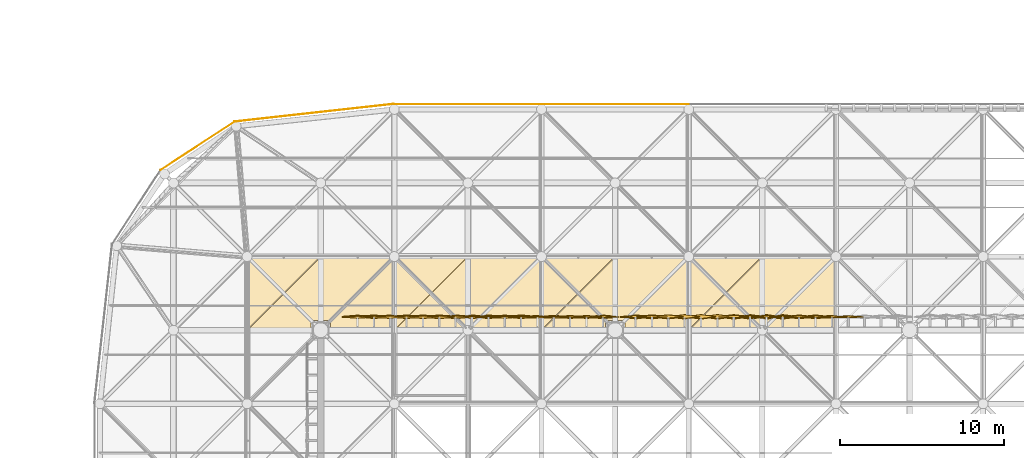
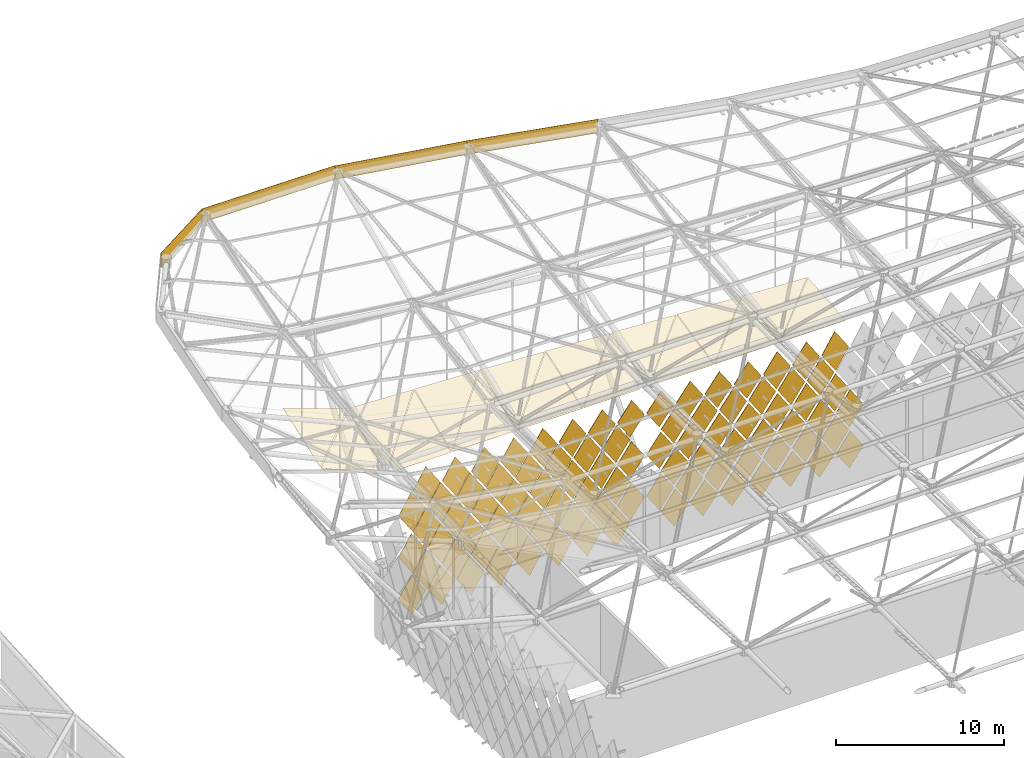
# One storey, part 423 of 437: 109 coverings.
"""IFC4 building model written with IfcOpenShell, lengths in metres."""

from ifc_helpers import new_model, si_unit, direction, frame, origin, place, context, subcontext, project, spatial, polyline, outline, extrude, material, layer, layer_set, material_profile, profile_set, type_object, element, save


model = new_model("IFC4")

# Units and contexts
model_context = context("Model", 3, precision=1e-05, world=origin(), true_north=direction((0.0, 1.0)))
body_context = subcontext(model_context, "Body", "Model", "MODEL_VIEW")
ifc_project = project(units=[si_unit("LENGTHUNIT", "METRE"), si_unit("AREAUNIT", "SQUARE_METRE"), si_unit("VOLUMEUNIT", "CUBIC_METRE"), si_unit("PLANEANGLEUNIT", "RADIAN"), si_unit("MASSUNIT", "GRAM", prefix="KILO")], contexts=[model_context])

# Site, building, storey
site_placement = place(None, origin())
site = spatial("IfcSite", under=ifc_project, at=site_placement, CompositionType="ELEMENT")
building_placement = place(site_placement, origin())
building = spatial("IfcBuilding", under=site, at=building_placement, Name="Opaline Strait Convention Centre", CompositionType="ELEMENT")
storey_placement = place(building_placement, frame((0.0, 0.0, 11.5)))
storey = spatial("IfcBuildingStorey", under=building, at=storey_placement, Name="L02", CompositionType="ELEMENT", Elevation=11.5)

# Coverings
ifc_material_1 = material(Name="White ceramic-faced aluminium tile", Category="aluminium")
ifc_material_profile_1 = material_profile(ifc_material_1, outline(polyline([(0.927978515625, 0.0), (0.0, 1.39208984375), (-0.927978515625, 0.0), (0.0, -1.39208984375), (0.927978515625, 0.0)])), Name="Diamond tile 1856x2784")
ifc_profile_set_1 = profile_set([ifc_material_profile_1], Name="White ceramic-faced aluminium tile")
covering_type_1 = type_object("IfcCoveringType", Name="Diamond wall tile 1856x2784x30 pivot 1.5 deg", PredefinedType="CLADDING", material=ifc_profile_set_1)
for number, where, z_axis, x_axis, name in (
    (1, (115.25, 153.800048828125, 1.89208984375), (0.0, 0.999471633277, -0.032503142546), (-1.0, 0.0, 0.0), "Wall tile XT03 N"),
    (2, (101.25, 153.800048828125, 1.89208984375), (0.0, 0.999471633277, -0.032503142546), (-1.0, 0.0, 0.0), "Wall tile XT03 N"),
    (3, (114.25, 153.800048828125, 3.39208984375), (0.0, 0.999471633277, -0.032503142546), (-1.0, 0.0, 0.0), "Wall tile XT03 N"),
    (4, (115.25, 153.800048828125, 4.89208984375), (0.0, 0.999702690643, 0.024382992455), (-1.0, 0.0, 0.0), "Wall tile XT03 N"),
    (5, (113.25, 153.800048828125, 4.89208984375), (0.0, 0.999471633277, -0.032503142546), (-1.0, 0.0, 0.0), "Wall tile XT03 N"),
    (6, (114.25, 153.800048828125, 6.39208984375), (0.0, 0.999702690643, 0.024382992455), (-1.0, 0.0, 0.0), "Wall tile XT03 N"),
    (7, (112.25, 153.800048828125, 6.39208984375), (0.0, 0.999471633277, -0.032503142546), (-1.0, 0.0, 0.0), "Wall tile XT03 N"),
    (8, (110.25, 153.800048828125, 6.39208984375), (0.0, 0.999471633277, -0.032503142546), (-1.0, 0.0, 0.0), "Wall tile XT03 N"),
    (9, (113.25, 153.800048828125, 7.89208984375), (0.0, 0.999702690643, 0.024382992455), (-1.0, 0.0, 0.0), "Wall tile XT03 N"),
    (10, (111.25, 153.800048828125, 7.89208984375), (0.0, 0.999471633277, -0.032503142546), (-1.0, 0.0, 0.0), "Wall tile XT03 N"),
    (11, (109.25, 153.800048828125, 7.89208984375), (0.0, 0.999471633277, -0.032503142546), (-1.0, 0.0, 0.0), "Wall tile XT03 N"),
    (12, (112.25, 153.800048828125, 9.39208984375), (0.0, 0.999702690643, 0.024382992455), (-1.0, 0.0, 0.0), "Wall tile XT03 N"),
    (13, (110.25, 153.800048828125, 9.39208984375), (0.0, 0.999471633277, -0.032503142546), (-1.0, 0.0, 0.0), "Wall tile XT03 N"),
    (14, (108.25, 153.800048828125, 9.39208984375), (0.0, 0.999471633277, -0.032503142546), (-1.0, 0.0, 0.0), "Wall tile XT03 N"),
):
    element("IfcCovering", number, at=place(storey_placement, frame(where, z_axis=z_axis, x_axis=x_axis)), inside=storey, type_object=covering_type_1, Name=name, PredefinedType="CLADDING", context=body_context, shape_type="SweptSolid", body=[
        extrude(outline(polyline([(0.927978515625, 0.0), (0.0, 1.39208984375), (-0.927978515625, 0.0), (0.0, -1.39208984375), (0.927978515625, 0.0)])), origin(), (0.0, 0.0, 1.0), 0.030029296875),
    ])
ifc_material_profile_2 = material_profile(ifc_material_1, outline(polyline([(0.927978515625, 0.0), (0.0, 1.39208984375), (-0.927978515625, 0.0), (0.0, -1.39208984375), (0.927978515625, 0.0)])), Name="Diamond tile 1856x2784")
ifc_profile_set_2 = profile_set([ifc_material_profile_2], Name="White ceramic-faced aluminium tile")
covering_type_2 = type_object("IfcCoveringType", Name="Diamond wall tile 1856x2784x30 pivot 2 deg", PredefinedType="CLADDING", material=ifc_profile_set_2)
for number, where, z_axis, x_axis, name in (
    (15, (113.25, 153.800048828125, 1.89208984375), (0.0, 0.999174794796, -0.040616861577), (-1.0, 0.0, 0.0), "Wall tile XT04 N"),
    (16, (116.25, 153.800048828125, 3.39208984375), (0.0, 0.999471633277, 0.032503142546), (-1.0, 0.0, 0.0), "Wall tile XT04 N"),
    (17, (112.25, 153.800048828125, 3.39208984375), (0.0, 0.999174794796, -0.040616861577), (-1.0, 0.0, 0.0), "Wall tile XT04 N"),
    (18, (131.25, 153.800048828125, 4.89208984375), (0.0, 0.999471633277, 0.032503142546), (-1.0, 0.0, 0.0), "Wall tile XT04 N"),
    (19, (111.25, 153.800048828125, 4.89208984375), (0.0, 0.999174794796, -0.040616861577), (-1.0, 0.0, 0.0), "Wall tile XT04 N"),
    (20, (130.25, 153.800048828125, 6.39208984375), (0.0, 0.999471633277, 0.032503142546), (-1.0, 0.0, 0.0), "Wall tile XT04 N"),
    (21, (129.25, 153.800048828125, 7.89208984375), (0.0, 0.999471633277, 0.032503142546), (-1.0, 0.0, 0.0), "Wall tile XT04 N"),
    (22, (130.25, 153.800048828125, 9.39208984375), (0.0, 0.999174794796, -0.040616861577), (-1.0, 0.0, 0.0), "Wall tile XT04 N"),
    (23, (128.25, 153.800048828125, 9.39208984375), (0.0, 0.999471633277, 0.032503142546), (-1.0, 0.0, 0.0), "Wall tile XT04 N"),
    (24, (126.25, 153.800048828125, 9.39208984375), (0.0, 0.999471633277, 0.032503142546), (-1.0, 0.0, 0.0), "Wall tile XT04 N"),
):
    element("IfcCovering", number, at=place(storey_placement, frame(where, z_axis=z_axis, x_axis=x_axis)), inside=storey, type_object=covering_type_2, Name=name, PredefinedType="CLADDING", context=body_context, shape_type="SweptSolid", body=[
        extrude(outline(polyline([(0.927978515625, 0.0), (0.0, 1.39208984375), (-0.927978515625, 0.0), (0.0, -1.39208984375), (0.927978515625, 0.0)])), origin(), (0.0, 0.0, 1.0), 0.030029296875),
    ])
ifc_material_profile_3 = material_profile(ifc_material_1, outline(polyline([(0.927978515625, 0.0), (0.0, 1.39208984375), (-0.927978515625, 0.0), (0.0, -1.39208984375), (0.927978515625, 0.0)])), Name="Diamond tile 1856x2784")
ifc_profile_set_3 = profile_set([ifc_material_profile_3], Name="White ceramic-faced aluminium tile")
covering_type_3 = type_object("IfcCoveringType", Name="Diamond wall tile 1856x2784x30 pivot 2.5 deg", PredefinedType="CLADDING", material=ifc_profile_set_3)
for number, where, z_axis, x_axis, name in (
    (25, (131.25, 153.800048828125, 1.89208984375), (0.0, 0.999174794796, 0.040616861577), (-1.0, 0.0, 0.0), "Wall tile XT05 N"),
    (26, (119.25, 153.800048828125, 1.89208984375), (0.0, 0.999174794796, 0.040616861577), (-1.0, 0.0, 0.0), "Wall tile XT05 N"),
    (27, (130.25, 153.800048828125, 3.39208984375), (0.0, 0.999174794796, 0.040616861577), (-1.0, 0.0, 0.0), "Wall tile XT05 N"),
    (28, (129.25, 153.800048828125, 4.89208984375), (0.0, 0.999174794796, 0.040616861577), (-1.0, 0.0, 0.0), "Wall tile XT05 N"),
    (29, (101.25, 153.800048828125, 4.89208984375), (0.0, 0.998812351125, -0.048722553713), (-1.0, 0.0, 0.0), "Wall tile XT05 N"),
    (30, (128.25, 153.800048828125, 6.39208984375), (0.0, 0.999174794796, 0.040616861577), (-1.0, 0.0, 0.0), "Wall tile XT05 N"),
    (31, (108.25, 153.800048828125, 6.39208984375), (0.0, 0.998812351125, -0.048722553713), (-1.0, 0.0, 0.0), "Wall tile XT05 N"),
    (32, (127.25, 153.800048828125, 7.89208984375), (0.0, 0.999174794796, 0.040616861577), (-1.0, 0.0, 0.0), "Wall tile XT05 N"),
    (33, (107.25, 153.800048828125, 7.89208984375), (0.0, 0.998812351125, -0.048722553713), (-1.0, 0.0, 0.0), "Wall tile XT05 N"),
    (34, (106.25, 153.800048828125, 9.39208984375), (0.0, 0.998812351125, -0.048722553713), (-1.0, 0.0, 0.0), "Wall tile XT05 N"),
):
    element("IfcCovering", number, at=place(storey_placement, frame(where, z_axis=z_axis, x_axis=x_axis)), inside=storey, type_object=covering_type_3, Name=name, PredefinedType="CLADDING", context=body_context, shape_type="SweptSolid", body=[
        extrude(outline(polyline([(0.927978515625, 0.0), (0.0, 1.39208984375), (-0.927978515625, 0.0), (0.0, -1.39208984375), (0.927978515625, 0.0)])), origin(), (0.0, 0.0, 1.0), 0.030029296875),
    ])
ifc_material_profile_4 = material_profile(ifc_material_1, outline(polyline([(0.927978515625, 0.0), (0.0, 1.39208984375), (-0.927978515625, 0.0), (0.0, -1.39208984375), (0.927978515625, 0.0)])), Name="Diamond tile 1856x2784")
ifc_profile_set_4 = profile_set([ifc_material_profile_4], Name="White ceramic-faced aluminium tile")
covering_type_4 = type_object("IfcCoveringType", Name="Diamond wall tile 1856x2784x30 pivot 3 deg", PredefinedType="CLADDING", material=ifc_profile_set_4)
for number, where, z_axis, x_axis, name in (
    (35, (103.25, 153.800048828125, 1.89208984375), (0.0, 0.998384516691, -0.056818631031), (-1.0, 0.0, 0.0), "Wall tile XT06 N"),
    (36, (118.25, 153.800048828125, 3.39208984375), (0.0, 0.998812351125, 0.048722553713), (-1.0, 0.0, 0.0), "Wall tile XT06 N"),
    (37, (110.25, 153.800048828125, 3.39208984375), (0.0, 0.998384516691, -0.056818631031), (-1.0, 0.0, 0.0), "Wall tile XT06 N"),
    (38, (102.25, 153.800048828125, 3.39208984375), (0.0, 0.998384516691, -0.056818631031), (-1.0, 0.0, 0.0), "Wall tile XT06 N"),
    (39, (109.25, 153.800048828125, 4.89208984375), (0.0, 0.998384516691, -0.056818631031), (-1.0, 0.0, 0.0), "Wall tile XT06 N"),
    (40, (116.25, 153.800048828125, 6.39208984375), (0.0, 0.998812351125, 0.048722553713), (-1.0, 0.0, 0.0), "Wall tile XT06 N"),
    (41, (115.25, 153.800048828125, 7.89208984375), (0.0, 0.998812351125, 0.048722553713), (-1.0, 0.0, 0.0), "Wall tile XT06 N"),
    (42, (105.25, 153.800048828125, 7.89208984375), (0.0, 0.998384516691, -0.056818631031), (-1.0, 0.0, 0.0), "Wall tile XT06 N"),
    (43, (101.25, 153.800048828125, 7.89208984375), (0.0, 0.998384516691, -0.056818631031), (-1.0, 0.0, 0.0), "Wall tile XT06 N"),
    (44, (114.25, 153.800048828125, 9.39208984375), (0.0, 0.998812351125, 0.048722553713), (-1.0, 0.0, 0.0), "Wall tile XT06 N"),
    (45, (104.25, 153.800048828125, 9.39208984375), (0.0, 0.998384516691, -0.056818631031), (-1.0, 0.0, 0.0), "Wall tile XT06 N"),
):
    element("IfcCovering", number, at=place(storey_placement, frame(where, z_axis=z_axis, x_axis=x_axis)), inside=storey, type_object=covering_type_4, Name=name, PredefinedType="CLADDING", context=body_context, shape_type="SweptSolid", body=[
        extrude(outline(polyline([(0.927978515625, 0.0), (0.0, 1.39208984375), (-0.927978515625, 0.0), (0.0, -1.39208984375), (0.927978515625, 0.0)])), origin(), (0.0, 0.0, 1.0), 0.030029296875),
    ])
ifc_material_profile_5 = material_profile(ifc_material_1, outline(polyline([(0.927978515625, 0.0), (0.0, 1.39208984375), (-0.927978515625, 0.0), (0.0, -1.39208984375), (0.927978515625, 0.0)])), Name="Diamond tile 1856x2784")
ifc_profile_set_5 = profile_set([ifc_material_profile_5], Name="White ceramic-faced aluminium tile")
covering_type_5 = type_object("IfcCoveringType", Name="Diamond wall tile 1856x2784x30 pivot 3.5 deg", PredefinedType="CLADDING", material=ifc_profile_set_5)
for number, where, z_axis, x_axis, name in (
    (46, (111.25, 153.800048828125, 1.89208984375), (0.0, 0.99785694905, -0.065433242561), (-1.0, 0.0, 0.0), "Wall tile XT07 N"),
    (47, (109.25, 153.800048828125, 1.89208984375), (0.0, 0.99785694905, -0.065433242561), (-1.0, 0.0, 0.0), "Wall tile XT07 N"),
    (48, (105.25, 153.800048828125, 1.89208984375), (0.0, 0.99785694905, -0.065433242561), (-1.0, 0.0, 0.0), "Wall tile XT07 N"),
    (49, (108.25, 153.800048828125, 3.39208984375), (0.0, 0.99785694905, -0.065433242561), (-1.0, 0.0, 0.0), "Wall tile XT07 N"),
    (50, (104.25, 153.800048828125, 3.39208984375), (0.0, 0.99785694905, -0.065433242561), (-1.0, 0.0, 0.0), "Wall tile XT07 N"),
    (51, (107.25, 153.800048828125, 4.89208984375), (0.0, 0.99785694905, -0.065433242561), (-1.0, 0.0, 0.0), "Wall tile XT07 N"),
    (52, (105.25, 153.800048828125, 4.89208984375), (0.0, 0.99785694905, -0.065433242561), (-1.0, 0.0, 0.0), "Wall tile XT07 N"),
    (53, (103.25, 153.800048828125, 4.89208984375), (0.0, 0.99785694905, -0.065433242561), (-1.0, 0.0, 0.0), "Wall tile XT07 N"),
    (54, (106.25, 153.800048828125, 6.39208984375), (0.0, 0.99785694905, -0.065433242561), (-1.0, 0.0, 0.0), "Wall tile XT07 N"),
    (55, (104.25, 153.800048828125, 6.39208984375), (0.0, 0.99785694905, -0.065433242561), (-1.0, 0.0, 0.0), "Wall tile XT07 N"),
    (56, (102.25, 153.800048828125, 6.39208984375), (0.0, 0.99785694905, -0.065433242561), (-1.0, 0.0, 0.0), "Wall tile XT07 N"),
    (57, (125.25, 153.800048828125, 7.89208984375), (0.0, 0.99835799028, 0.057282835508), (-1.0, 0.0, 0.0), "Wall tile XT07 N"),
    (58, (103.25, 153.800048828125, 7.89208984375), (0.0, 0.99785694905, -0.065433242561), (-1.0, 0.0, 0.0), "Wall tile XT07 N"),
    (59, (124.25, 153.800048828125, 9.39208984375), (0.0, 0.99835799028, 0.057282835508), (-1.0, 0.0, 0.0), "Wall tile XT07 N"),
    (60, (102.25, 153.800048828125, 9.39208984375), (0.0, 0.99785694905, -0.065433242561), (-1.0, 0.0, 0.0), "Wall tile XT07 N"),
):
    element("IfcCovering", number, at=place(storey_placement, frame(where, z_axis=z_axis, x_axis=x_axis)), inside=storey, type_object=covering_type_5, Name=name, PredefinedType="CLADDING", context=body_context, shape_type="SweptSolid", body=[
        extrude(outline(polyline([(0.927978515625, 0.0), (0.0, 1.39208984375), (-0.927978515625, 0.0), (0.0, -1.39208984375), (0.927978515625, 0.0)])), origin(), (0.0, 0.0, 1.0), 0.02978515625),
    ])
ifc_material_profile_6 = material_profile(ifc_material_1, outline(polyline([(0.927978515625, 0.0), (0.0, 1.39208984375), (-0.927978515625, 0.0), (0.0, -1.39208984375), (0.927978515625, 0.0)])), Name="Diamond tile 1856x2784")
ifc_profile_set_6 = profile_set([ifc_material_profile_6], Name="White ceramic-faced aluminium tile")
covering_type_6 = type_object("IfcCoveringType", Name="Diamond wall tile 1856x2784x30 pivot 4 deg", PredefinedType="CLADDING", material=ifc_profile_set_6)
for number, where, z_axis, x_axis, name in (
    (61, (107.25, 153.800048828125, 1.89208984375), (0.0, 0.997290013252, -0.073570574748), (-1.0, 0.0, 0.0), "Wall tile XT08 N"),
    (62, (120.25, 153.800048828125, 3.39208984375), (0.0, 0.99785694905, 0.065433242561), (-1.0, 0.0, 0.0), "Wall tile XT08 N"),
    (63, (106.25, 153.800048828125, 3.39208984375), (0.0, 0.997290013252, -0.073570574748), (-1.0, 0.0, 0.0), "Wall tile XT08 N"),
    (64, (127.25, 153.800048828125, 4.89208984375), (0.0, 0.99785694905, 0.065433242561), (-1.0, 0.0, 0.0), "Wall tile XT08 N"),
    (65, (119.25, 153.800048828125, 4.89208984375), (0.0, 0.99785694905, 0.065433242561), (-1.0, 0.0, 0.0), "Wall tile XT08 N"),
    (66, (126.25, 153.800048828125, 6.39208984375), (0.0, 0.99785694905, 0.065433242561), (-1.0, 0.0, 0.0), "Wall tile XT08 N"),
    (67, (118.25, 153.800048828125, 6.39208984375), (0.0, 0.99785694905, 0.065433242561), (-1.0, 0.0, 0.0), "Wall tile XT08 N"),
):
    element("IfcCovering", number, at=place(storey_placement, frame(where, z_axis=z_axis, x_axis=x_axis)), inside=storey, type_object=covering_type_6, Name=name, PredefinedType="CLADDING", context=body_context, shape_type="SweptSolid", body=[
        extrude(outline(polyline([(0.927978515625, 0.0), (0.0, 1.39208984375), (-0.927978515625, 0.0), (0.0, -1.39208984375), (0.927978515625, 0.0)])), origin(), (0.0, 0.0, 1.0), 0.02978515625),
    ])
ifc_material_profile_7 = material_profile(ifc_material_1, outline(polyline([(0.927978515625, 0.0), (0.0, 1.39208984375), (-0.927978515625, 0.0), (0.0, -1.39208984375), (0.927978515625, 0.0)])), Name="Diamond tile 1856x2784")
ifc_profile_set_7 = profile_set([ifc_material_profile_7], Name="White ceramic-faced aluminium tile")
covering_type_7 = type_object("IfcCoveringType", Name="Diamond wall tile 1856x2784x30 pivot 4.5 deg", PredefinedType="CLADDING", material=ifc_profile_set_7)
for number, where, z_axis, x_axis, name in (
    (68, (129.25, 153.800048828125, 1.89208984375), (0.0, 0.997290013252, 0.073570574748), (-1.0, 0.0, 0.0), "Wall tile XT09 N"),
    (69, (121.25, 153.800048828125, 1.89208984375), (0.0, 0.997290013252, 0.073570574748), (-1.0, 0.0, 0.0), "Wall tile XT09 N"),
    (70, (128.25, 153.800048828125, 3.39208984375), (0.0, 0.997290013252, 0.073570574748), (-1.0, 0.0, 0.0), "Wall tile XT09 N"),
    (71, (116.25, 153.800048828125, 9.39208984375), (0.0, 0.997290013252, 0.073570574748), (-1.0, 0.0, 0.0), "Wall tile XT09 N"),
):
    element("IfcCovering", number, at=place(storey_placement, frame(where, z_axis=z_axis, x_axis=x_axis)), inside=storey, type_object=covering_type_7, Name=name, PredefinedType="CLADDING", context=body_context, shape_type="SweptSolid", body=[
        extrude(outline(polyline([(0.927978515625, 0.0), (0.0, 1.39208984375), (-0.927978515625, 0.0), (0.0, -1.39208984375), (0.927978515625, 0.0)])), origin(), (0.0, 0.0, 1.0), 0.02978515625),
    ])
ifc_material_profile_8 = material_profile(ifc_material_1, outline(polyline([(0.927978515625, 0.0), (0.0, 1.39208984375), (-0.927978515625, 0.0), (0.0, -1.39208984375), (0.927978515625, 0.0)])), Name="Diamond tile 1856x2784")
ifc_profile_set_8 = profile_set([ifc_material_profile_8], Name="White ceramic-faced aluminium tile")
covering_type_8 = type_object("IfcCoveringType", Name="Diamond wall tile 1856x2784x30 pivot 5 deg", PredefinedType="CLADDING", material=ifc_profile_set_8)
for number, where, z_axis, x_axis, name in (
    (72, (125.25, 153.800048828125, 4.89208984375), (0.0, 0.996657521232, 0.081693239445), (-1.0, 0.0, 0.0), "Wall tile XT10 N"),
    (73, (124.25, 153.800048828125, 6.39208984375), (0.0, 0.996657521232, 0.081693239445), (-1.0, 0.0, 0.0), "Wall tile XT10 N"),
    (74, (120.25, 153.800048828125, 6.39208984375), (0.0, 0.996657521232, 0.081693239445), (-1.0, 0.0, 0.0), "Wall tile XT10 N"),
    (75, (123.25, 153.800048828125, 7.89208984375), (0.0, 0.996657521232, 0.081693239445), (-1.0, 0.0, 0.0), "Wall tile XT10 N"),
    (76, (119.25, 153.800048828125, 7.89208984375), (0.0, 0.996657521232, 0.081693239445), (-1.0, 0.0, 0.0), "Wall tile XT10 N"),
    (77, (122.25, 153.800048828125, 9.39208984375), (0.0, 0.996657521232, 0.081693239445), (-1.0, 0.0, 0.0), "Wall tile XT10 N"),
    (78, (120.25, 153.800048828125, 9.39208984375), (0.0, 0.996657521232, 0.081693239445), (-1.0, 0.0, 0.0), "Wall tile XT10 N"),
    (79, (118.25, 153.800048828125, 9.39208984375), (0.0, 0.996657521232, 0.081693239445), (-1.0, 0.0, 0.0), "Wall tile XT10 N"),
):
    element("IfcCovering", number, at=place(storey_placement, frame(where, z_axis=z_axis, x_axis=x_axis)), inside=storey, type_object=covering_type_8, Name=name, PredefinedType="CLADDING", context=body_context, shape_type="SweptSolid", body=[
        extrude(outline(polyline([(0.927978515625, 0.0), (0.0, 1.39208984375), (-0.927978515625, 0.0), (0.0, -1.39208984375), (0.927978515625, 0.0)])), origin(), (0.0, 0.0, 1.0), 0.02978515625),
    ])
ifc_material_profile_9 = material_profile(ifc_material_1, outline(polyline([(0.927978515625, 0.0), (0.0, 1.39208984375), (-0.927978515625, 0.0), (0.0, -1.39208984375), (0.927978515625, 0.0)])), Name="Diamond tile 1856x2784")
ifc_profile_set_9 = profile_set([ifc_material_profile_9], Name="White ceramic-faced aluminium tile")
covering_type_9 = type_object("IfcCoveringType", Name="Diamond wall tile 1856x2784x30 pivot 5.5 deg", PredefinedType="CLADDING", material=ifc_profile_set_9)
for number, where, z_axis, x_axis, name in (
    (80, (127.25, 153.800048828125, 1.89208984375), (0.0, 0.995959849254, 0.089799658539), (-1.0, 0.0, 0.0), "Wall tile XT11 N"),
    (81, (125.25, 153.800048828125, 1.89208984375), (0.0, 0.995959849254, 0.089799658539), (-1.0, 0.0, 0.0), "Wall tile XT11 N"),
    (82, (123.25, 153.800048828125, 1.89208984375), (0.0, 0.995959849254, 0.089799658539), (-1.0, 0.0, 0.0), "Wall tile XT11 N"),
    (83, (126.25, 153.800048828125, 3.39208984375), (0.0, 0.995959849254, 0.089799658539), (-1.0, 0.0, 0.0), "Wall tile XT11 N"),
    (84, (124.25, 153.800048828125, 3.39208984375), (0.0, 0.995959849254, 0.089799658539), (-1.0, 0.0, 0.0), "Wall tile XT11 N"),
    (85, (122.25, 153.800048828125, 3.39208984375), (0.0, 0.995959849254, 0.089799658539), (-1.0, 0.0, 0.0), "Wall tile XT11 N"),
    (86, (123.25, 153.800048828125, 4.89208984375), (0.0, 0.995959849254, 0.089799658539), (-1.0, 0.0, 0.0), "Wall tile XT11 N"),
    (87, (121.25, 153.800048828125, 4.89208984375), (0.0, 0.995959849254, 0.089799658539), (-1.0, 0.0, 0.0), "Wall tile XT11 N"),
    (88, (122.25, 153.800048828125, 6.39208984375), (0.0, 0.995959849254, 0.089799658539), (-1.0, 0.0, 0.0), "Wall tile XT11 N"),
    (89, (121.25, 153.800048828125, 7.89208984375), (0.0, 0.995959849254, 0.089799658539), (-1.0, 0.0, 0.0), "Wall tile XT11 N"),
):
    element("IfcCovering", number, at=place(storey_placement, frame(where, z_axis=z_axis, x_axis=x_axis)), inside=storey, type_object=covering_type_9, Name=name, PredefinedType="CLADDING", context=body_context, shape_type="SweptSolid", body=[
        extrude(outline(polyline([(0.927978515625, 0.0), (0.0, 1.39208984375), (-0.927978515625, 0.0), (0.0, -1.39208984375), (0.927978515625, 0.0)])), origin(), (0.0, 0.0, 1.0), 0.02978515625),
    ])
ifc_material_2 = material(Name="White aluminium fascia plate", Category="aluminium")
ifc_layer_1 = layer(ifc_material_2, 0.02001953125)
ifc_layer_set_1 = layer_set([ifc_layer_1], Name="White aluminium fascia plate")
covering_type_10 = type_object("IfcCoveringType", Name="Edge fascia plate 20 aluminium", PredefinedType="CLADDING", material=ifc_layer_set_1)
covering_1_placement = place(storey_placement, frame((117.0, 166.800048828125, 21.65966796875), z_axis=(0.0, 1.0, 0.0), x_axis=(-1.0, 0.0, 0.0)))
element("IfcCovering", 90, at=covering_1_placement, inside=storey, type_object=covering_type_10, Name="Edge fascia plate N", PredefinedType="CLADDING", context=body_context, shape_type="SweptSolid", body=[
    extrude(outline(polyline([(-4.5, -0.29248046875), (4.5, 1.29248046875), (4.5, 0.29248046875), (-4.5, -1.29248046875), (-4.5, -0.29248046875)])), origin(), (0.0, 0.0, 1.0), 0.02001953125),
])
covering_2_placement = place(storey_placement, frame((107.991943359375, 166.800048828125, 23.124267578125), z_axis=(0.0, 1.0, 0.0), x_axis=(-1.0, 0.0, 0.0)))
element("IfcCovering", 91, at=covering_2_placement, inside=storey, type_object=covering_type_10, Name="Edge fascia plate N", PredefinedType="CLADDING", context=body_context, shape_type="SweptSolid", body=[
    extrude(outline(polyline([(-4.508056640625, -0.17236328125), (4.508056640625, 1.17236328125), (4.508056640625, 0.17236328125), (-4.508056640625, -1.17236328125), (-4.508056640625, -0.17236328125)])), origin(), (0.0, 0.0, 1.0), 0.02001953125),
])
covering_3_placement = place(storey_placement, frame((98.6064453125, 166.281494140625, 24.2626953125), z_axis=(-0.110431526075, 0.993883734674, 0.0), x_axis=(-0.993883734674, -0.110431526075, 0.0)))
element("IfcCovering", 92, at=covering_3_placement, inside=storey, type_object=covering_type_10, Name="Edge fascia plate N", PredefinedType="CLADDING", context=body_context, shape_type="SweptSolid", body=[
    extrude(outline(polyline([(-4.9052734375, 0.0341796875), (4.9052734375, 0.9658203125), (4.9052734375, -0.0341796875), (-4.9052734375, -0.9658203125), (-4.9052734375, 0.0341796875)])), origin(), (0.0, 0.0, 1.0), 0.019775390625),
])
covering_4_placement = place(storey_placement, frame((91.483154296875, 164.262451171875, 24.8037109375), z_axis=(-0.546267780547, 0.837610596839, 0.0), x_axis=(-0.837610596839, -0.546267780547, 0.0)))
element("IfcCovering", 93, at=covering_4_placement, inside=storey, type_object=covering_type_10, Name="Edge fascia plate N", PredefinedType="CLADDING", context=body_context, shape_type="SweptSolid", body=[
    extrude(outline(polyline([(-2.700439453125, 0.4248046875), (2.700439453125, 0.5751953125), (2.700439453125, -0.4248046875), (-2.700439453125, -0.5751953125), (-2.700439453125, 0.4248046875)])), origin(), (0.0, 0.0, 1.0), 0.02001953125),
])
ifc_material_3 = material(Name="White aluminium soffit panel", Category="aluminium")
ifc_layer_2 = layer(ifc_material_3, 0.011962890625)
ifc_layer_set_2 = layer_set([ifc_layer_2], Name="White aluminium soffit panel")
covering_type_11 = type_object("IfcCoveringType", Name="Soffit lining panel 12 aluminium", PredefinedType="CEILING", material=ifc_layer_set_2)
covering_5_placement = place(storey_placement, frame((98.39990234375, 153.02001953125, 12.10400390625), z_axis=(0.386677291597, -0.386677291597, 0.837234342538), x_axis=(-0.907852003481, -2.926856e-06, 0.419290758026)))
element("IfcCovering", 94, at=covering_5_placement, inside=storey, type_object=covering_type_11, Name="Soffit lining panel", PredefinedType="CEILING", context=body_context, shape_type="SweptSolid", body=[
    extrude(outline(polyline([(0.0, 0.0), (4.2424867358159055, 0.0), (0.21919994492769723, -4.805417844117747), (-0.5266267857619206, -0.6290035697236539), (0.11219133705756057, -0.6288892676750024), (0.0, 0.0)])), origin(), (0.0, 0.0, -1.0), 0.011962890625),
])
covering_6_placement = place(storey_placement, frame((94.52001953125, 153.04833984375, 13.951171875), z_axis=(0.319733183458, -0.319733183458, 0.891931265733), x_axis=(0.0, 0.941344688097, 0.337446556052)))
element("IfcCovering", 95, at=covering_6_placement, inside=storey, type_object=covering_type_11, Name="Soffit lining panel", PredefinedType="CEILING", context=body_context, shape_type="SweptSolid", body=[
    extrude(outline(polyline([(0.0, 0.0), (4.707776737931908, 0.0), (4.171701361899726, -4.677155653324439), (0.0, 0.0)])), origin(), (0.0, 0.0, -1.0), 0.011962890625),
])
covering_7_placement = place(storey_placement, frame((99.60009765625, 153.57177734375, 12.1298828125), z_axis=(1.500748e-06, -0.387154153056, 0.922015000837), x_axis=(0.67785887948, 0.677858485629, 0.284631714627)))
element("IfcCovering", 96, at=covering_7_placement, inside=storey, type_object=covering_type_11, Name="Soffit lining panel", PredefinedType="CEILING", context=body_context, shape_type="SweptSolid", body=[
    extrude(outline(polyline([(0.0, 0.0), (5.723732372561239, 6.661338147750939e-16), (2.1900531342767917, -3.2581090519074802), (-0.4399598815188307, -0.4056500819230524), (0.0, 0.0)])), origin(), (0.0, 0.0, -1.0), 0.011962890625),
])
covering_8_placement = place(storey_placement, frame((99.02001953125, 153.60009765625, 12.152587890625), z_axis=(0.038044665286, -0.418964447828, 0.907205266133), x_axis=(4.42408e-07, 0.907862529653, 0.419267965926)))
element("IfcCovering", 97, at=covering_8_placement, inside=storey, type_object=covering_type_11, Name="Soffit lining panel", PredefinedType="CEILING", context=body_context, shape_type="SweptSolid", body=[
    extrude(outline(polyline([(0.0, 0.0), (4.273622783978898, -6.938893903907228e-18), (4.195728523364408, -4.4348494238622065), (-0.009723988505994086, -0.5521594490287016), (0.0, 0.0)])), origin(), (0.0, 0.0, -1.0), 0.011962890625),
])
covering_9_placement = place(storey_placement, frame((103.54833984375, 153.02001953125, 11.910400390625), z_axis=(0.0, -0.35351681603, 0.935428169762), x_axis=(0.683135434977, 0.683135434977, 0.258170399071)))
element("IfcCovering", 98, at=covering_9_placement, inside=storey, type_object=covering_type_11, Name="Soffit lining panel", PredefinedType="CEILING", context=body_context, shape_type="SweptSolid", body=[
    extrude(outline(polyline([(0.0, 0.0), (6.4872064865836325, 0.0), (3.0274107460225363, -3.2363903973435684), (0.0, 0.0)])), origin(), (0.0, 0.0, -1.0), 0.011962890625),
])
covering_10_placement = place(storey_placement, frame((103.52001953125, 153.04833984375, 11.90869140625), z_axis=(0.038626263491, -0.386820964607, 0.92134551234), x_axis=(0.0, 0.922033600731, 0.387109854075)))
element("IfcCovering", 99, at=covering_10_placement, inside=storey, type_object=covering_type_11, Name="Soffit lining panel", PredefinedType="CEILING", context=body_context, shape_type="SweptSolid", body=[
    extrude(outline(polyline([(0.0, 0.0), (4.806376493746366, 0.0), (4.734454960799274, -4.434950306794419), (0.0, 0.0)])), origin(), (0.0, 0.0, -1.0), 0.011962890625),
])
covering_11_placement = place(storey_placement, frame((108.04833984375, 153.02001953125, 11.926513671875), z_axis=(0.0, -0.307264697163, 0.951624088534), x_axis=(0.689367612791, 0.689367612791, 0.222586138088)))
element("IfcCovering", 100, at=covering_11_placement, inside=storey, type_object=covering_type_11, Name="Soffit lining panel", PredefinedType="CEILING", context=body_context, shape_type="SweptSolid", body=[
    extrude(outline(polyline([(0.0, 0.0), (6.42855936770216, 0.0), (3.0550295184052034, -3.210332267978388), (0.0, 0.0)])), origin(), (0.0, 0.0, -1.0), 0.011962890625),
])
covering_12_placement = place(storey_placement, frame((108.02001953125, 153.04833984375, 11.918701171875), z_axis=(0.051412509616, -0.353094322796, 0.934174048593), x_axis=(0.0, 0.935411127538, 0.353561907561)))
element("IfcCovering", 101, at=covering_12_placement, inside=storey, type_object=covering_type_11, Name="Soffit lining panel", PredefinedType="CEILING", context=body_context, shape_type="SweptSolid", body=[
    extrude(outline(polyline([(0.0, 0.0), (4.737639412803946, 0.0), (4.65140690654101, -4.43750922017121), (0.0, 0.0)])), origin(), (0.0, 0.0, -1.0), 0.011962890625),
])
covering_13_placement = place(storey_placement, frame((116.97998046875, 157.45166015625, 13.12939453125), z_axis=(2.2585036e-05, -0.258734508722, 0.965948473515), x_axis=(4.19e-10, -0.965948473762, -0.258734508788)))
element("IfcCovering", 102, at=covering_13_placement, inside=storey, type_object=covering_type_11, Name="Soffit lining panel", PredefinedType="CEILING", context=body_context, shape_type="SweptSolid", body=[
    extrude(outline(polyline([(0.0, 0.0), (3.9873572158691437, 3.3881317890172014e-21), (3.987357215626378, -0.5800781248520558), (4.587857391711966, -0.5800781273638768), (4.587857390100065, -4.431640626381567), (0.0, 0.0)])), origin(), (0.0, 0.0, -1.0), 0.011962890625),
])
covering_14_placement = place(storey_placement, frame((112.52001953125, 153.04833984375, 11.93310546875), z_axis=(0.052301197228, -0.306844161114, 0.950321653736), x_axis=(0.0, 0.951624088534, 0.307264697163)))
element("IfcCovering", 103, at=covering_14_placement, inside=storey, type_object=covering_type_11, Name="Soffit lining panel", PredefinedType="CEILING", context=body_context, shape_type="SweptSolid", body=[
    extrude(outline(polyline([(0.0, 0.0), (4.65692354617518, -1.3877787807814457e-17), (4.581982766764667, -4.437714276947336), (0.0, 0.0)])), origin(), (0.0, 0.0, -1.0), 0.011962890625),
])
covering_15_placement = place(storey_placement, frame((117.60009765625, 153.57177734375, 12.07470703125), z_axis=(7.290009e-06, -0.204804393512, 0.978802922117), x_axis=(0.699493138049, 0.69949209365, 0.146356280164)))
element("IfcCovering", 104, at=covering_15_placement, inside=storey, type_object=covering_type_11, Name="Soffit lining panel", PredefinedType="CEILING", context=body_context, shape_type="SweptSolid", body=[
    extrude(outline(polyline([(0.0, 0.0), (5.546706038502559, 1.1379786002407855e-15), (2.3111001703378395, -3.167029935542614), (-0.4028512334392569, -0.39431314223875635), (0.0, 0.0)])), origin(), (0.0, 0.0, -1.0), 0.011962890625),
])
covering_16_placement = place(storey_placement, frame((117.02001953125, 153.60009765625, 12.094482421875), z_axis=(0.056554722907, -0.258304052823, 0.964406853777), x_axis=(-1.759893e-06, 0.965952834707, 0.258718227264)))
element("IfcCovering", 105, at=covering_16_placement, inside=storey, type_object=covering_type_11, Name="Soffit lining panel", PredefinedType="CEILING", context=body_context, shape_type="SweptSolid", body=[
    extrude(outline(polyline([(0.0, 0.0), (4.0166713727111185, -6.938893903907228e-18), (3.9493943078622946, -4.438751793949846), (-0.008338570155733709, -0.5526352211088226), (0.0, 0.0)])), origin(), (0.0, 0.0, -1.0), 0.011962890625),
])
covering_17_placement = place(storey_placement, frame((121.54833984375, 153.02001953125, 11.976318359375), z_axis=(0.0, -0.148830592632, 0.988862707709), x_axis=(0.703136079276, 0.703136079276, 0.105826783196)))
element("IfcCovering", 106, at=covering_17_placement, inside=storey, type_object=covering_type_11, Name="Soffit lining panel", PredefinedType="CEILING", context=body_context, shape_type="SweptSolid", body=[
    extrude(outline(polyline([(0.0, 0.0), (6.302678465262751, 2.220446049250313e-16), (3.116046413821247, -3.1511415988593945), (0.0, 0.0)])), origin(), (0.0, 0.0, -1.0), 0.011962890625),
])
covering_18_placement = place(storey_placement, frame((121.52001953125, 153.04833984375, 11.961669921875), z_axis=(0.057333805742, -0.204409821975, 0.977204921907), x_axis=(0.0, 0.97881500951, 0.204746616963)))
element("IfcCovering", 107, at=covering_18_placement, inside=storey, type_object=covering_type_11, Name="Soffit lining panel", PredefinedType="CEILING", context=body_context, shape_type="SweptSolid", body=[
    extrude(outline(polyline([(0.0, 0.0), (4.527556874325043, 0.0), (4.474320754436018, -4.438942399143057), (0.0, 0.0)])), origin(), (0.0, 0.0, -1.0), 0.011962890625),
])
covering_19_placement = place(storey_placement, frame((126.04833984375, 153.02001953125, 11.99072265625), z_axis=(0.0, -0.100306879711, 0.994956546731), x_axis=(0.705316889307, 0.705316889307, 0.071106759995)))
element("IfcCovering", 108, at=covering_19_placement, inside=storey, type_object=covering_type_11, Name="Soffit lining panel", PredefinedType="CEILING", context=body_context, shape_type="SweptSolid", body=[
    extrude(outline(polyline([(0.0, 0.0), (6.283190849655062, 3.191891195797325e-16), (3.125710980150885, -3.141555267334093), (0.0, 0.0)])), origin(), (0.0, 0.0, -1.0), 0.011962890625),
])
covering_20_placement = place(storey_placement, frame((126.02001953125, 153.04833984375, 11.97705078125), z_axis=(0.049133129287, -0.148650840766, 0.987668397361), x_axis=(0.0, 0.988862707709, 0.148830592632)))
element("IfcCovering", 109, at=covering_20_placement, inside=storey, type_object=covering_type_11, Name="Soffit lining panel", PredefinedType="CEILING", context=body_context, shape_type="SweptSolid", body=[
    extrude(outline(polyline([(0.0, 0.0), (4.4815529905755245, -6.938893903907228e-18), (4.448741949279898, -4.436999462306835), (0.0, 0.0)])), origin(), (0.0, 0.0, -1.0), 0.011962890625),
])

save(model, "model.ifc")
